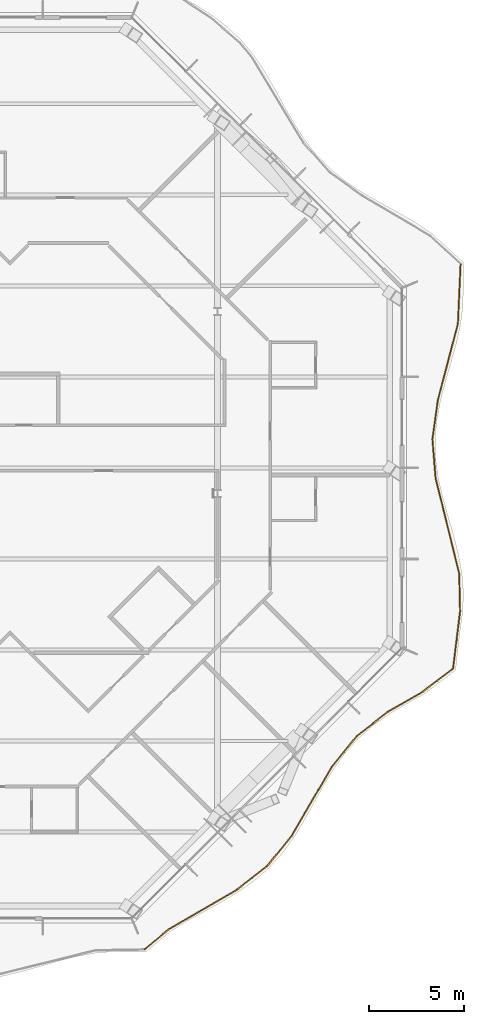
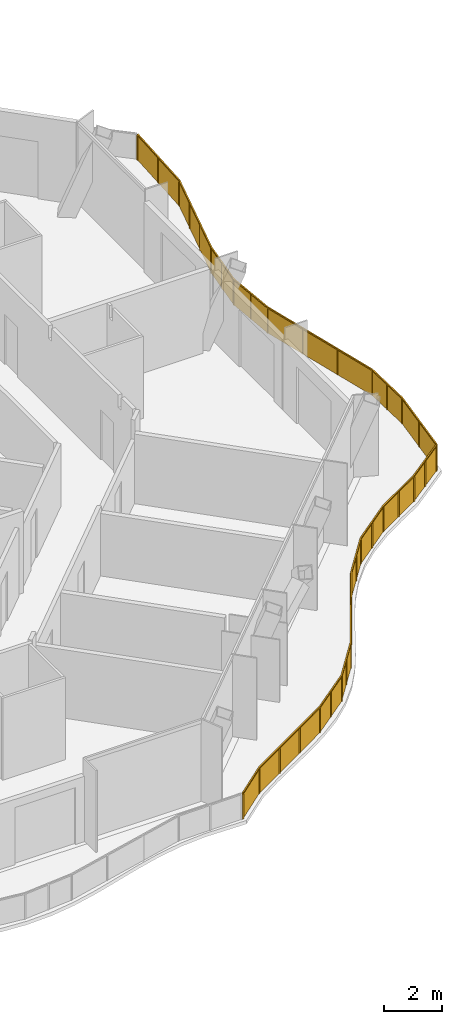
# One storey, part 17 of 19: 2 railings.
"""IFC4 building model written with IfcOpenShell, lengths in metres."""

from ifc_helpers import new_model, si_unit, direction, frame, origin, origin_2d, place, context, subcontext, project, spatial, polyline, rectangle, outline, extrude, material, type_object, element, save


model = new_model("IFC4")

# Units and contexts
model_context = context("Model", 3, precision=1e-05, world=origin(), true_north=direction((0.0, 1.0)))
body_context = subcontext(model_context, "Body", "Model", "MODEL_VIEW")
ifc_project = project(units=[si_unit("LENGTHUNIT", "METRE"), si_unit("AREAUNIT", "SQUARE_METRE"), si_unit("VOLUMEUNIT", "CUBIC_METRE"), si_unit("PLANEANGLEUNIT", "RADIAN"), si_unit("MASSUNIT", "GRAM", prefix="KILO")], contexts=[model_context])

# Site, building, storey
site_placement = place(None, origin())
site = spatial("IfcSite", under=ifc_project, at=site_placement, CompositionType="ELEMENT")
building_placement = place(site_placement, origin())
building = spatial("IfcBuilding", under=site, at=building_placement, Name="Cairn Pilgrim Tower", CompositionType="ELEMENT")
storey_placement = place(building_placement, frame((0.0, 0.0, 190.199951171875)))
storey = spatial("IfcBuildingStorey", under=building, at=storey_placement, Name="L48", CompositionType="ELEMENT", Elevation=190.199951171875)

# Railings
ifc_material = material(Name="Bronze anodised aluminium rail and posts with laminated glass infill", Category="aluminium")
railing_type = type_object("IfcRailingType", Name="BALCONY GUARD 1100", PredefinedType="GUARDRAIL", material=ifc_material)
railing_1_placement = place(storey_placement, frame((27.35595703125, -24.03759765625, 0.0)))
element("IfcRailing", 1, at=railing_1_placement, inside=storey, type_object=railing_type, Name="Balcony guard BG-4", PredefinedType="GUARDRAIL", context=body_context, shape_type="SweptSolid", body=[
    extrude(rectangle(XDim=0.050048828125, YDim=0.050048828125, at=origin_2d()), frame((0.0, 0.0, 1.0751953125), z_axis=(0.766712840977, 0.641990202013, 0.0), x_axis=(-0.641990202013, 0.766712840977, 0.0)), (0.0, 0.0, 1.0), 1.620849609375),
    extrude(rectangle(XDim=0.050048828125, YDim=0.050048828125, at=origin_2d()), frame((1.24267578125, 1.04052734375, 1.0751953125), z_axis=(0.86401622529, 0.503463963392, 0.0), x_axis=(-0.503463963392, 0.86401622529, 0.0)), (0.0, 0.0, 1.0), 4.21435546875),
    extrude(rectangle(XDim=0.050048828125, YDim=0.050048828125, at=origin_2d()), frame((4.884033203125, 3.162353515625, 1.0751953125), z_axis=(0.785752848969, 0.618540589078, 0.0), x_axis=(-0.618540589078, 0.785752848969, 0.0)), (0.0, 0.0, 1.0), 2.023681640625),
    extrude(rectangle(XDim=0.050048828125, YDim=0.050048828125, at=origin_2d()), frame((6.47412109375, 4.4140625, 1.0751953125), z_axis=(0.630164662512, 0.776461523916, 0.0), x_axis=(-0.776461523916, 0.630164662512, 0.0)), (0.0, 0.0, 1.0), 2.019287109375),
    extrude(rectangle(XDim=0.050048828125, YDim=0.050048828125, at=origin_2d()), frame((7.74658203125, 5.98193359375, 1.0751953125), z_axis=(0.503063616696, 0.864249383891, 0.0), x_axis=(-0.864249383891, 0.503063616696, 0.0)), (0.0, 0.0, 1.0), 4.21240234375),
    extrude(rectangle(XDim=0.050048828125, YDim=0.050048828125, at=origin_2d()), frame((9.86572265625, 9.62255859375, 1.0751953125), z_axis=(0.630287059661, 0.7763621722, 0.0), x_axis=(-0.7763621722, 0.630287059661, 0.0)), (0.0, 0.0, 1.0), 2.07568359375),
    extrude(rectangle(XDim=0.050048828125, YDim=0.050048828125, at=origin_2d()), frame((11.174072265625, 11.234130859375, 1.0751953125), z_axis=(0.785771885806, 0.61851640518, 0.0), x_axis=(-0.61851640518, 0.785771885806, 0.0)), (0.0, 0.0, 1.0), 2.07861328125),
    extrude(rectangle(XDim=0.050048828125, YDim=0.050048828125, at=origin_2d()), frame((12.807373046875, 12.519775390625, 1.0751953125), z_axis=(0.867016241401, 0.498279878329, 0.0), x_axis=(-0.498279878329, 0.867016241401, 0.0)), (0.0, 0.0, 1.0), 2.11083984375),
    extrude(rectangle(XDim=0.050048828125, YDim=0.050048828125, at=origin_2d()), frame((14.637451171875, 13.571533203125, 1.0751953125), z_axis=(0.797171508885, 0.603752917527, 0.0), x_axis=(-0.603752917527, 0.797171508885, 0.0)), (0.0, 0.0, 1.0), 1.97412109375),
    extrude(rectangle(XDim=0.050048828125, YDim=0.050048828125, at=origin_2d()), origin(), (0.0, 0.0, 1.0), 1.050048828125),
    extrude(rectangle(XDim=0.050048828125, YDim=0.050048828125, at=origin_2d()), frame((1.24267578125, 1.04052734375, 0.0)), (0.0, 0.0, 1.0), 1.050048828125),
    extrude(rectangle(XDim=0.050048828125, YDim=0.050048828125, at=origin_2d()), frame((2.45654296875, 1.747802734375, 0.0)), (0.0, 0.0, 1.0), 1.050048828125),
    extrude(rectangle(XDim=0.050048828125, YDim=0.050048828125, at=origin_2d()), frame((3.670166015625, 2.455078125, 0.0)), (0.0, 0.0, 1.0), 1.050048828125),
    extrude(rectangle(XDim=0.050048828125, YDim=0.050048828125, at=origin_2d()), frame((4.884033203125, 3.162353515625, 0.0)), (0.0, 0.0, 1.0), 1.050048828125),
    extrude(rectangle(XDim=0.050048828125, YDim=0.050048828125, at=origin_2d()), frame((5.67919921875, 3.7880859375, 0.0)), (0.0, 0.0, 1.0), 1.050048828125),
    extrude(rectangle(XDim=0.050048828125, YDim=0.050048828125, at=origin_2d()), frame((6.47412109375, 4.4140625, 0.0)), (0.0, 0.0, 1.0), 1.050048828125),
    extrude(rectangle(XDim=0.050048828125, YDim=0.050048828125, at=origin_2d()), frame((7.1103515625, 5.197998046875, 0.0)), (0.0, 0.0, 1.0), 1.050048828125),
    extrude(rectangle(XDim=0.050048828125, YDim=0.050048828125, at=origin_2d()), frame((7.74658203125, 5.98193359375, 0.0)), (0.0, 0.0, 1.0), 1.050048828125),
    extrude(rectangle(XDim=0.050048828125, YDim=0.050048828125, at=origin_2d()), frame((8.452880859375, 7.195556640625, 0.0)), (0.0, 0.0, 1.0), 1.050048828125),
    extrude(rectangle(XDim=0.050048828125, YDim=0.050048828125, at=origin_2d()), frame((9.159423828125, 8.408935546875, 0.0)), (0.0, 0.0, 1.0), 1.050048828125),
    extrude(rectangle(XDim=0.050048828125, YDim=0.050048828125, at=origin_2d()), frame((9.86572265625, 9.62255859375, 0.0)), (0.0, 0.0, 1.0), 1.050048828125),
    extrude(rectangle(XDim=0.050048828125, YDim=0.050048828125, at=origin_2d()), frame((10.52001953125, 10.42822265625, 0.0)), (0.0, 0.0, 1.0), 1.050048828125),
    extrude(rectangle(XDim=0.050048828125, YDim=0.050048828125, at=origin_2d()), frame((11.174072265625, 11.234130859375, 0.0)), (0.0, 0.0, 1.0), 1.050048828125),
    extrude(rectangle(XDim=0.050048828125, YDim=0.050048828125, at=origin_2d()), frame((11.99072265625, 11.876953125, 0.0)), (0.0, 0.0, 1.0), 1.050048828125),
    extrude(rectangle(XDim=0.050048828125, YDim=0.050048828125, at=origin_2d()), frame((12.807373046875, 12.519775390625, 0.0)), (0.0, 0.0, 1.0), 1.050048828125),
    extrude(rectangle(XDim=0.050048828125, YDim=0.050048828125, at=origin_2d()), frame((13.722412109375, 13.045654296875, 0.0)), (0.0, 0.0, 1.0), 1.050048828125),
    extrude(rectangle(XDim=0.050048828125, YDim=0.050048828125, at=origin_2d()), frame((14.637451171875, 13.571533203125, 0.0)), (0.0, 0.0, 1.0), 1.050048828125),
    extrude(rectangle(XDim=0.050048828125, YDim=0.050048828125, at=origin_2d()), frame((15.42431640625, 14.16748046875, 0.0)), (0.0, 0.0, 1.0), 1.050048828125),
    extrude(rectangle(XDim=0.050048828125, YDim=0.050048828125, at=origin_2d()), frame((16.211181640625, 14.763427734375, 0.0)), (0.0, 0.0, 1.0), 1.050048828125),
    extrude(outline(polyline([(0.02490234375, 0.0), (1.595703125, 0.0), (1.595703125, 1.050048828125), (0.02490234375, 1.050048828125), (0.02490234375, 0.0)])), frame((-0.00390625, 0.004638671875, 0.0), z_axis=(0.641990202013, -0.766712840977, 0.0), x_axis=(0.766712840977, 0.641990202013, 0.0)), (0.0, 0.0, 1.0), 0.011962890625),
    extrude(outline(polyline([(0.02490234375, 0.0), (1.3798828125, 0.0), (1.3798828125, 1.050048828125), (0.02490234375, 1.050048828125), (0.02490234375, 0.0)])), frame((1.23974609375, 1.045654296875, 0.0), z_axis=(0.503463963392, -0.86401622529, 0.0), x_axis=(0.86401622529, 0.503463963392, 0.0)), (0.0, 0.0, 1.0), 0.011962890625),
    extrude(outline(polyline([(0.02490234375, 0.0), (1.3798828125, 0.0), (1.3798828125, 1.050048828125), (0.02490234375, 1.050048828125), (0.02490234375, 0.0)])), frame((2.453369140625, 1.7529296875, 0.0), z_axis=(0.503463963392, -0.86401622529, 0.0), x_axis=(0.86401622529, 0.503463963392, 0.0)), (0.0, 0.0, 1.0), 0.011962890625),
    extrude(outline(polyline([(0.02490234375, 0.0), (1.3798828125, 0.0), (1.3798828125, 1.050048828125), (0.02490234375, 1.050048828125), (0.02490234375, 0.0)])), frame((3.667236328125, 2.460205078125, 0.0), z_axis=(0.503463963392, -0.86401622529, 0.0), x_axis=(0.86401622529, 0.503463963392, 0.0)), (0.0, 0.0, 1.0), 0.011962890625),
    extrude(outline(polyline([(0.02490234375, 0.0), (0.98681640625, 0.0), (0.98681640625, 1.050048828125), (0.02490234375, 1.050048828125), (0.02490234375, 0.0)])), frame((4.88037109375, 3.1669921875, 0.0), z_axis=(0.618540589078, -0.785752848969, 0.0), x_axis=(0.785752848969, 0.618540589078, 0.0)), (0.0, 0.0, 1.0), 0.011962890625),
    extrude(outline(polyline([(0.02490234375, 0.0), (0.98681640625, 0.0), (0.98681640625, 1.050048828125), (0.02490234375, 1.050048828125), (0.02490234375, 0.0)])), frame((5.67529296875, 3.79296875, 0.0), z_axis=(0.618540589078, -0.785752848969, 0.0), x_axis=(0.785752848969, 0.618540589078, 0.0)), (0.0, 0.0, 1.0), 0.011962890625),
    extrude(outline(polyline([(0.02490234375, 0.0), (0.984619140625, 0.0), (0.984619140625, 1.050048828125), (0.02490234375, 1.050048828125), (0.02490234375, 0.0)])), frame((6.469482421875, 4.417724609375, 0.0), z_axis=(0.776461523916, -0.630164662512, 0.0), x_axis=(0.630164662512, 0.776461523916, 0.0)), (0.0, 0.0, 1.0), 0.011962890625),
    extrude(outline(polyline([(0.02490234375, 0.0), (0.984619140625, 0.0), (0.984619140625, 1.050048828125), (0.02490234375, 1.050048828125), (0.02490234375, 0.0)])), frame((7.105712890625, 5.20166015625, 0.0), z_axis=(0.776461523916, -0.630164662512, 0.0), x_axis=(0.630164662512, 0.776461523916, 0.0)), (0.0, 0.0, 1.0), 0.011962890625),
    extrude(outline(polyline([(0.02490234375, 0.0), (1.379150390625, 0.0), (1.379150390625, 1.050048828125), (0.02490234375, 1.050048828125), (0.02490234375, 0.0)])), frame((7.741455078125, 5.98486328125, 0.0), z_axis=(0.864249383891, -0.503063616696, 0.0), x_axis=(0.503063616696, 0.864249383891, 0.0)), (0.0, 0.0, 1.0), 0.011962890625),
    extrude(outline(polyline([(0.02490234375, 0.0), (1.379150390625, 0.0), (1.379150390625, 1.050048828125), (0.02490234375, 1.050048828125), (0.02490234375, 0.0)])), frame((8.44775390625, 7.198486328125, 0.0), z_axis=(0.864249383891, -0.503063616696, 0.0), x_axis=(0.503063616696, 0.864249383891, 0.0)), (0.0, 0.0, 1.0), 0.011962890625),
    extrude(outline(polyline([(0.02490234375, 0.0), (1.379150390625, 0.0), (1.379150390625, 1.050048828125), (0.02490234375, 1.050048828125), (0.02490234375, 0.0)])), frame((9.154052734375, 8.412109375, 0.0), z_axis=(0.864249383891, -0.503063616696, 0.0), x_axis=(0.503063616696, 0.864249383891, 0.0)), (0.0, 0.0, 1.0), 0.011962890625),
    extrude(outline(polyline([(0.02490234375, 0.0), (1.012939453125, 0.0), (1.012939453125, 1.050048828125), (0.02490234375, 1.050048828125), (0.02490234375, 0.0)])), frame((9.861083984375, 9.626220703125, 0.0), z_axis=(0.7763621722, -0.630287059661, 0.0), x_axis=(0.630287059661, 0.7763621722, 0.0)), (0.0, 0.0, 1.0), 0.011962890625),
    extrude(outline(polyline([(0.02490234375, 0.0), (1.012939453125, 0.0), (1.012939453125, 1.050048828125), (0.02490234375, 1.050048828125), (0.02490234375, 0.0)])), frame((10.51513671875, 10.43212890625, 0.0), z_axis=(0.7763621722, -0.630287059661, 0.0), x_axis=(0.630287059661, 0.7763621722, 0.0)), (0.0, 0.0, 1.0), 0.011962890625),
    extrude(outline(polyline([(0.02490234375, 0.0), (1.01416015625, 0.0), (1.01416015625, 1.050048828125), (0.02490234375, 1.050048828125), (0.02490234375, 0.0)])), frame((11.17041015625, 11.23876953125, 0.0), z_axis=(0.61851640518, -0.785771885806, 0.0), x_axis=(0.785771885806, 0.61851640518, 0.0)), (0.0, 0.0, 1.0), 0.011962890625),
    extrude(outline(polyline([(0.02490234375, 0.0), (1.01416015625, 0.0), (1.01416015625, 1.050048828125), (0.02490234375, 1.050048828125), (0.02490234375, 0.0)])), frame((11.987060546875, 11.881591796875, 0.0), z_axis=(0.61851640518, -0.785771885806, 0.0), x_axis=(0.785771885806, 0.61851640518, 0.0)), (0.0, 0.0, 1.0), 0.011962890625),
    extrude(outline(polyline([(0.02490234375, 0.0), (1.0302734375, 0.0), (1.0302734375, 1.050048828125), (0.02490234375, 1.050048828125), (0.02490234375, 0.0)])), frame((12.804443359375, 12.52490234375, 0.0), z_axis=(0.498279878329, -0.867016241401, 0.0), x_axis=(0.867016241401, 0.498279878329, 0.0)), (0.0, 0.0, 1.0), 0.011962890625),
    extrude(outline(polyline([(0.02490234375, 0.0), (1.0302734375, 0.0), (1.0302734375, 1.050048828125), (0.02490234375, 1.050048828125), (0.02490234375, 0.0)])), frame((13.719482421875, 13.05078125, 0.0), z_axis=(0.498279878329, -0.867016241401, 0.0), x_axis=(0.867016241401, 0.498279878329, 0.0)), (0.0, 0.0, 1.0), 0.011962890625),
    extrude(outline(polyline([(0.02490234375, 0.0), (0.962158203125, 0.0), (0.962158203125, 1.050048828125), (0.02490234375, 1.050048828125), (0.02490234375, 0.0)])), frame((14.6337890625, 13.576416015625, 0.0), z_axis=(0.603752917527, -0.797171508885, 0.0), x_axis=(0.797171508885, 0.603752917527, 0.0)), (0.0, 0.0, 1.0), 0.011962890625),
    extrude(outline(polyline([(0.02490234375, 0.0), (0.962158203125, 0.0), (0.962158203125, 1.050048828125), (0.02490234375, 1.050048828125), (0.02490234375, 0.0)])), frame((15.420654296875, 14.17236328125, 0.0), z_axis=(0.603752917527, -0.797171508885, 0.0), x_axis=(0.797171508885, 0.603752917527, 0.0)), (0.0, 0.0, 1.0), 0.011962890625),
])
railing_2_placement = place(storey_placement, frame((43.614990234375, -9.23779296875, 0.0)))
element("IfcRailing", 2, at=railing_2_placement, inside=storey, type_object=railing_type, Name="Balcony guard BG-5", PredefinedType="GUARDRAIL", context=body_context, shape_type="SweptSolid", body=[
    extrude(rectangle(XDim=0.050048828125, YDim=0.050048828125, at=origin_2d()), frame((0.0, 0.0, 1.0751953125), z_axis=(0.122343898928, 0.992487768386, 0.0), x_axis=(-0.992487768386, 0.122343898928, 0.0)), (0.0, 0.0, 1.0), 3.039306640625),
    extrude(rectangle(XDim=0.050048828125, YDim=0.050048828125, at=origin_2d()), frame((0.371826171875, 3.016357421875, 1.0751953125), z_axis=(-0.02215963196, 0.999754445207, 0.0), x_axis=(-0.999754445207, -0.02215963196, 0.0)), (0.0, 0.0, 1.0), 1.994140625),
    extrude(rectangle(XDim=0.050048828125, YDim=0.050048828125, at=origin_2d()), frame((0.32763671875, 5.010009765625, 1.0751953125), z_axis=(-0.239905631608, 0.970796213385, 0.0), x_axis=(-0.970796213385, -0.239905631608, 0.0)), (0.0, 0.0, 1.0), 5.2001953125),
    extrude(rectangle(XDim=0.050048828125, YDim=0.050048828125, at=origin_2d()), frame((-0.919921875, 10.058349609375, 1.0751953125), z_axis=(-0.08085412376, 0.996725945619, 0.0), x_axis=(-0.996725945619, -0.08085412376, 0.0)), (0.0, 0.0, 1.0), 2.056396484375),
    extrude(rectangle(XDim=0.050048828125, YDim=0.050048828125, at=origin_2d()), frame((-1.086181640625, 12.10791015625, 1.0751953125), z_axis=(0.137912964875, 0.990444351854, 0.0), x_axis=(-0.990444351854, 0.137912964875, 0.0)), (0.0, 0.0, 1.0), 2.06591796875),
    extrude(rectangle(XDim=0.050048828125, YDim=0.050048828125, at=origin_2d()), frame((-0.80126953125, 14.154052734375, 1.0751953125), z_axis=(0.253850909993, 0.967243358983, 0.0), x_axis=(-0.967243358983, 0.253850909993, 0.0)), (0.0, 0.0, 1.0), 4.172119140625),
    extrude(rectangle(XDim=0.050048828125, YDim=0.050048828125, at=origin_2d()), frame((0.2578125, 18.189453125, 1.0751953125), z_axis=(0.044558662059, 0.999006769564, 0.0), x_axis=(-0.999006769564, 0.044558662059, 0.0)), (0.0, 0.0, 1.0), 3.11767578125),
    extrude(rectangle(XDim=0.050048828125, YDim=0.050048828125, at=origin_2d()), origin(), (0.0, 0.0, 1.0), 1.050048828125),
    extrude(rectangle(XDim=0.050048828125, YDim=0.050048828125, at=origin_2d()), frame((0.18603515625, 1.50830078125, 0.0)), (0.0, 0.0, 1.0), 1.050048828125),
    extrude(rectangle(XDim=0.050048828125, YDim=0.050048828125, at=origin_2d()), frame((0.371826171875, 3.016357421875, 0.0)), (0.0, 0.0, 1.0), 1.050048828125),
    extrude(rectangle(XDim=0.050048828125, YDim=0.050048828125, at=origin_2d()), frame((0.349609375, 4.01318359375, 0.0)), (0.0, 0.0, 1.0), 1.050048828125),
    extrude(rectangle(XDim=0.050048828125, YDim=0.050048828125, at=origin_2d()), frame((0.32763671875, 5.010009765625, 0.0)), (0.0, 0.0, 1.0), 1.050048828125),
    extrude(rectangle(XDim=0.050048828125, YDim=0.050048828125, at=origin_2d()), frame((-0.088134765625, 6.69287109375, 0.0)), (0.0, 0.0, 1.0), 1.050048828125),
    extrude(rectangle(XDim=0.050048828125, YDim=0.050048828125, at=origin_2d()), frame((-0.504150390625, 8.37548828125, 0.0)), (0.0, 0.0, 1.0), 1.050048828125),
    extrude(rectangle(XDim=0.050048828125, YDim=0.050048828125, at=origin_2d()), frame((-0.919921875, 10.058349609375, 0.0)), (0.0, 0.0, 1.0), 1.050048828125),
    extrude(rectangle(XDim=0.050048828125, YDim=0.050048828125, at=origin_2d()), frame((-1.0029296875, 11.0830078125, 0.0)), (0.0, 0.0, 1.0), 1.050048828125),
    extrude(rectangle(XDim=0.050048828125, YDim=0.050048828125, at=origin_2d()), frame((-1.086181640625, 12.10791015625, 0.0)), (0.0, 0.0, 1.0), 1.050048828125),
    extrude(rectangle(XDim=0.050048828125, YDim=0.050048828125, at=origin_2d()), frame((-0.94384765625, 13.130859375, 0.0)), (0.0, 0.0, 1.0), 1.050048828125),
    extrude(rectangle(XDim=0.050048828125, YDim=0.050048828125, at=origin_2d()), frame((-0.80126953125, 14.154052734375, 0.0)), (0.0, 0.0, 1.0), 1.050048828125),
    extrude(rectangle(XDim=0.050048828125, YDim=0.050048828125, at=origin_2d()), frame((-0.4482421875, 15.499267578125, 0.0)), (0.0, 0.0, 1.0), 1.050048828125),
    extrude(rectangle(XDim=0.050048828125, YDim=0.050048828125, at=origin_2d()), frame((-0.09521484375, 16.84423828125, 0.0)), (0.0, 0.0, 1.0), 1.050048828125),
    extrude(rectangle(XDim=0.050048828125, YDim=0.050048828125, at=origin_2d()), frame((0.2578125, 18.189453125, 0.0)), (0.0, 0.0, 1.0), 1.050048828125),
    extrude(rectangle(XDim=0.050048828125, YDim=0.050048828125, at=origin_2d()), frame((0.3271484375, 19.74658203125, 0.0)), (0.0, 0.0, 1.0), 1.050048828125),
    extrude(rectangle(XDim=0.050048828125, YDim=0.050048828125, at=origin_2d()), frame((0.396728515625, 21.303955078125, 0.0)), (0.0, 0.0, 1.0), 1.050048828125),
    extrude(outline(polyline([(0.02490234375, 0.0), (1.49462890625, 0.0), (1.49462890625, 1.050048828125), (0.02490234375, 1.050048828125), (0.02490234375, 0.0)])), frame((-0.005859375, 0.000732421875, 0.0), z_axis=(0.992487768386, -0.122343898928, 0.0), x_axis=(0.122343898928, 0.992487768386, 0.0)), (0.0, 0.0, 1.0), 0.011962890625),
    extrude(outline(polyline([(0.02490234375, 0.0), (1.49462890625, 0.0), (1.49462890625, 1.050048828125), (0.02490234375, 1.050048828125), (0.02490234375, 0.0)])), frame((0.179931640625, 1.5087890625, 0.0), z_axis=(0.992487768386, -0.122343898928, 0.0), x_axis=(0.122343898928, 0.992487768386, 0.0)), (0.0, 0.0, 1.0), 0.011962890625),
    extrude(outline(polyline([(0.02490234375, 0.0), (0.97216796875, 0.0), (0.97216796875, 1.050048828125), (0.02490234375, 1.050048828125), (0.02490234375, 0.0)])), frame((0.365966796875, 3.01611328125, 0.0), z_axis=(0.999754445207, 0.02215963196, 0.0), x_axis=(-0.02215963196, 0.999754445207, 0.0)), (0.0, 0.0, 1.0), 0.011962890625),
    extrude(outline(polyline([(0.02490234375, 0.0), (0.97216796875, 0.0), (0.97216796875, 1.050048828125), (0.02490234375, 1.050048828125), (0.02490234375, 0.0)])), frame((0.34375, 4.012939453125, 0.0), z_axis=(0.999754445207, 0.02215963196, 0.0), x_axis=(-0.02215963196, 0.999754445207, 0.0)), (0.0, 0.0, 1.0), 0.011962890625),
    extrude(outline(polyline([(0.02490234375, 0.0), (1.70849609375, 0.0), (1.70849609375, 1.050048828125), (0.02490234375, 1.050048828125), (0.02490234375, 0.0)])), frame((0.32177734375, 5.008544921875, 0.0), z_axis=(0.970796213385, 0.239905631608, 0.0), x_axis=(-0.239905631608, 0.970796213385, 0.0)), (0.0, 0.0, 1.0), 0.011962890625),
    extrude(outline(polyline([(0.02490234375, 0.0), (1.70849609375, 0.0), (1.70849609375, 1.050048828125), (0.02490234375, 1.050048828125), (0.02490234375, 0.0)])), frame((-0.093994140625, 6.69140625, 0.0), z_axis=(0.970796213385, 0.239905631608, 0.0), x_axis=(-0.239905631608, 0.970796213385, 0.0)), (0.0, 0.0, 1.0), 0.011962890625),
    extrude(outline(polyline([(0.02490234375, 0.0), (1.70849609375, 0.0), (1.70849609375, 1.050048828125), (0.02490234375, 1.050048828125), (0.02490234375, 0.0)])), frame((-0.509765625, 8.3740234375, 0.0), z_axis=(0.970796213385, 0.239905631608, 0.0), x_axis=(-0.239905631608, 0.970796213385, 0.0)), (0.0, 0.0, 1.0), 0.011962890625),
    extrude(outline(polyline([(0.02490234375, 0.0), (1.003173828125, 0.0), (1.003173828125, 1.050048828125), (0.02490234375, 1.050048828125), (0.02490234375, 0.0)])), frame((-0.92578125, 10.057861328125, 0.0), z_axis=(0.996725945619, 0.08085412376, 0.0), x_axis=(-0.08085412376, 0.996725945619, 0.0)), (0.0, 0.0, 1.0), 0.011962890625),
    extrude(outline(polyline([(0.02490234375, 0.0), (1.003173828125, 0.0), (1.003173828125, 1.050048828125), (0.02490234375, 1.050048828125), (0.02490234375, 0.0)])), frame((-1.009033203125, 11.082763671875, 0.0), z_axis=(0.996725945619, 0.08085412376, 0.0), x_axis=(-0.08085412376, 0.996725945619, 0.0)), (0.0, 0.0, 1.0), 0.011962890625),
    extrude(outline(polyline([(0.02490234375, 0.0), (1.0078125, 0.0), (1.0078125, 1.050048828125), (0.02490234375, 1.050048828125), (0.02490234375, 0.0)])), frame((-1.092041015625, 12.108642578125, 0.0), z_axis=(0.990444351854, -0.137912964875, 0.0), x_axis=(0.137912964875, 0.990444351854, 0.0)), (0.0, 0.0, 1.0), 0.011962890625),
    extrude(outline(polyline([(0.02490234375, 0.0), (1.0078125, 0.0), (1.0078125, 1.050048828125), (0.02490234375, 1.050048828125), (0.02490234375, 0.0)])), frame((-0.94970703125, 13.1318359375, 0.0), z_axis=(0.990444351854, -0.137912964875, 0.0), x_axis=(0.137912964875, 0.990444351854, 0.0)), (0.0, 0.0, 1.0), 0.011962890625),
    extrude(outline(polyline([(0.02490234375, 0.0), (1.36572265625, 0.0), (1.36572265625, 1.050048828125), (0.02490234375, 1.050048828125), (0.02490234375, 0.0)])), frame((-0.80712890625, 14.155517578125, 0.0), z_axis=(0.967243358983, -0.253850909993, 0.0), x_axis=(0.253850909993, 0.967243358983, 0.0)), (0.0, 0.0, 1.0), 0.011962890625),
    extrude(outline(polyline([(0.02490234375, 0.0), (1.36572265625, 0.0), (1.36572265625, 1.050048828125), (0.02490234375, 1.050048828125), (0.02490234375, 0.0)])), frame((-0.4541015625, 15.500732421875, 0.0), z_axis=(0.967243358983, -0.253850909993, 0.0), x_axis=(0.253850909993, 0.967243358983, 0.0)), (0.0, 0.0, 1.0), 0.011962890625),
    extrude(outline(polyline([(0.02490234375, 0.0), (1.36572265625, 0.0), (1.36572265625, 1.050048828125), (0.02490234375, 1.050048828125), (0.02490234375, 0.0)])), frame((-0.10107421875, 16.845947265625, 0.0), z_axis=(0.967243358983, -0.253850909993, 0.0), x_axis=(0.253850909993, 0.967243358983, 0.0)), (0.0, 0.0, 1.0), 0.011962890625),
    extrude(outline(polyline([(0.02490234375, 0.0), (1.53369140625, 0.0), (1.53369140625, 1.050048828125), (0.02490234375, 1.050048828125), (0.02490234375, 0.0)])), frame((0.251953125, 18.189697265625, 0.0), z_axis=(0.999006769564, -0.044558662059, 0.0), x_axis=(0.044558662059, 0.999006769564, 0.0)), (0.0, 0.0, 1.0), 0.011962890625),
    extrude(outline(polyline([(0.02490234375, 0.0), (1.53369140625, 0.0), (1.53369140625, 1.050048828125), (0.02490234375, 1.050048828125), (0.02490234375, 0.0)])), frame((0.3212890625, 19.7470703125, 0.0), z_axis=(0.999006769564, -0.044558662059, 0.0), x_axis=(0.044558662059, 0.999006769564, 0.0)), (0.0, 0.0, 1.0), 0.011962890625),
])

save(model, "model.ifc")
